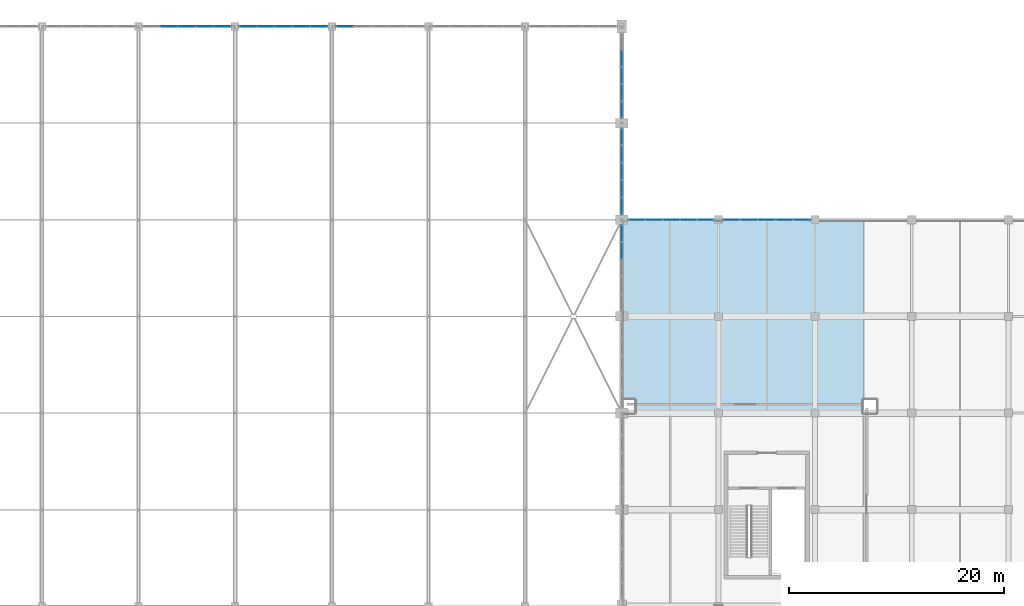
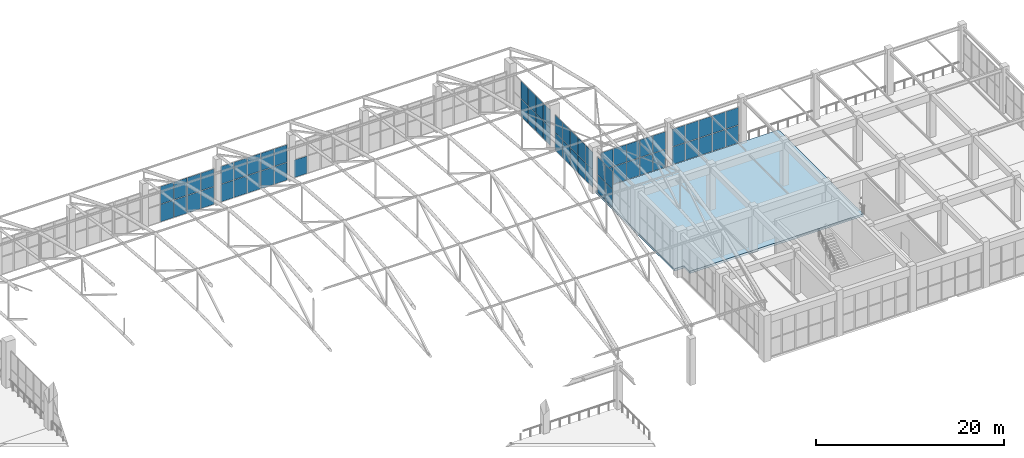
# One storey, part 180 of 223: 61 plates, 1 slab, 8 elements without a shape of their own.
"""IFC4 building model written with IfcOpenShell, lengths in metres."""

from ifc_helpers import new_model, si_unit, direction, frame, origin, origin_2d, place, context, subcontext, project, spatial, polyline, rectangle, outline, extrude, material, layer, layer_set, type_object, element, aggregate, save


model = new_model("IFC4")

# Units and contexts
model_context = context("Model", 3, precision=1e-05, world=origin(), true_north=direction((0.0, 1.0)))
body_context = subcontext(model_context, "Body", "Model", "MODEL_VIEW")
ifc_project = project(units=[si_unit("LENGTHUNIT", "METRE"), si_unit("AREAUNIT", "SQUARE_METRE"), si_unit("VOLUMEUNIT", "CUBIC_METRE"), si_unit("PLANEANGLEUNIT", "RADIAN"), si_unit("MASSUNIT", "GRAM", prefix="KILO")], contexts=[model_context])

# Site, building, storey
site_placement = place(None, origin())
site = spatial("IfcSite", under=ifc_project, at=site_placement, CompositionType="ELEMENT")
building_placement = place(site_placement, origin())
building = spatial("IfcBuilding", under=site, at=building_placement, Name="Dornveld Trade and Exhibition Forum", CompositionType="ELEMENT")
storey_placement = place(building_placement, frame((0.0, 0.0, 6.0)))
storey = spatial("IfcBuildingStorey", under=building, at=storey_placement, Name="L01", CompositionType="ELEMENT", Elevation=6.0)

# Curtain wall, plates
ifc_material_1 = material(Name="Dark-bronze anodised aluminium and low-E glass", Category="aluminium")
ifc_layer_1 = layer(ifc_material_1, 0.193115234375)
ifc_layer_set_1 = layer_set([ifc_layer_1], Name="Dark-bronze anodised aluminium and low-E glass")
curtain_wall_type_1 = type_object("IfcCurtainWallType", Name="CW-SYS-17", PredefinedType="USERDEFINED", material=ifc_layer_set_1)
curtain_wall_1_placement = place(storey_placement, origin())
curtain_wall_1 = element("IfcCurtainWall", 1, at=curtain_wall_1_placement, inside=storey, type_object=curtain_wall_type_1, Name="L01 unitised curtain wall 17", ObjectType="UNITISED_CURTAIN_WALL", PredefinedType="USERDEFINED")
ifc_material_2 = material(Name="Double-glazed low-E solar control glass", Category="glass")
ifc_layer_2 = layer(ifc_material_2, 0.02587890625)
ifc_layer_set_2 = layer_set([ifc_layer_2], Name="Double-glazed low-E solar control glass")
plate_type_1 = type_object("IfcPlateType", Name="CW-PNL-01", PredefinedType="CURTAIN_PANEL", material=ifc_layer_set_2)
plate_1_placement = place(storey_placement, frame((171.0, 154.2568359375, 0.05615234375), z_axis=(0.0, 0.0, 1.0), x_axis=(0.0, 1.0, 0.0)))
plate_1 = element("IfcPlate", 2, at=plate_1_placement, type_object=plate_type_1, Name="CW-17 panel 1.1", PredefinedType="CURTAIN_PANEL", context=body_context, shape_type="SweptSolid", body=[
    extrude(rectangle(XDim=1.501708984375, YDim=0.02587890625, at=origin_2d()), origin(), (0.0, 0.0, 1.0), 2.261962890625),
])
plate_2_placement = place(storey_placement, frame((171.0, 154.2568359375, 2.3779296875), z_axis=(0.0, 0.0, 1.0), x_axis=(0.0, 1.0, 0.0)))
plate_2 = element("IfcPlate", 3, at=plate_2_placement, type_object=plate_type_1, Name="CW-17 panel 1.2", PredefinedType="CURTAIN_PANEL", context=body_context, shape_type="SweptSolid", body=[
    extrude(rectangle(XDim=1.501708984375, YDim=0.02587890625, at=origin_2d()), origin(), (0.0, 0.0, 1.0), 2.261962890625),
])
plate_3_placement = place(storey_placement, frame((171.0, 155.83349609375, 0.05615234375), z_axis=(0.0, 0.0, 1.0), x_axis=(0.0, 1.0, 0.0)))
plate_3 = element("IfcPlate", 4, at=plate_3_placement, type_object=plate_type_1, Name="CW-17 panel 2.1", PredefinedType="CURTAIN_PANEL", context=body_context, shape_type="SweptSolid", body=[
    extrude(rectangle(XDim=1.531494140625, YDim=0.02587890625, at=origin_2d()), origin(), (0.0, 0.0, 1.0), 2.261962890625),
])
plate_4_placement = place(storey_placement, frame((171.0, 155.83349609375, 2.3779296875), z_axis=(0.0, 0.0, 1.0), x_axis=(0.0, 1.0, 0.0)))
plate_4 = element("IfcPlate", 5, at=plate_4_placement, type_object=plate_type_1, Name="CW-17 panel 2.2", PredefinedType="CURTAIN_PANEL", context=body_context, shape_type="SweptSolid", body=[
    extrude(rectangle(XDim=1.531494140625, YDim=0.02587890625, at=origin_2d()), origin(), (0.0, 0.0, 1.0), 2.261962890625),
])
plate_5_placement = place(storey_placement, frame((171.0, 157.425048828125, 0.05615234375), z_axis=(0.0, 0.0, 1.0), x_axis=(0.0, 1.0, 0.0)))
plate_5 = element("IfcPlate", 6, at=plate_5_placement, type_object=plate_type_1, Name="CW-17 panel 3.1", PredefinedType="CURTAIN_PANEL", context=body_context, shape_type="SweptSolid", body=[
    extrude(rectangle(XDim=1.531494140625, YDim=0.02587890625, at=origin_2d()), origin(), (0.0, 0.0, 1.0), 2.261962890625),
])
plate_6_placement = place(storey_placement, frame((171.0, 157.425048828125, 2.3779296875), z_axis=(0.0, 0.0, 1.0), x_axis=(0.0, 1.0, 0.0)))
plate_6 = element("IfcPlate", 7, at=plate_6_placement, type_object=plate_type_1, Name="CW-17 panel 3.2", PredefinedType="CURTAIN_PANEL", context=body_context, shape_type="SweptSolid", body=[
    extrude(rectangle(XDim=1.531494140625, YDim=0.02587890625, at=origin_2d()), origin(), (0.0, 0.0, 1.0), 2.261962890625),
])
plate_7_placement = place(storey_placement, frame((171.0, 159.0166015625, 0.05615234375), z_axis=(0.0, 0.0, 1.0), x_axis=(0.0, 1.0, 0.0)))
plate_7 = element("IfcPlate", 8, at=plate_7_placement, type_object=plate_type_1, Name="CW-17 panel 4.1", PredefinedType="CURTAIN_PANEL", context=body_context, shape_type="SweptSolid", body=[
    extrude(rectangle(XDim=1.531494140625, YDim=0.02587890625, at=origin_2d()), origin(), (0.0, 0.0, 1.0), 2.261962890625),
])
plate_8_placement = place(storey_placement, frame((171.0, 159.0166015625, 2.3779296875), z_axis=(0.0, 0.0, 1.0), x_axis=(0.0, 1.0, 0.0)))
plate_8 = element("IfcPlate", 9, at=plate_8_placement, type_object=plate_type_1, Name="CW-17 panel 4.2", PredefinedType="CURTAIN_PANEL", context=body_context, shape_type="SweptSolid", body=[
    extrude(rectangle(XDim=1.531494140625, YDim=0.02587890625, at=origin_2d()), origin(), (0.0, 0.0, 1.0), 2.261962890625),
])
aggregate(curtain_wall_1, [plate_1, plate_2, plate_3, plate_4, plate_5, plate_6, plate_7, plate_8])

ifc_material_3 = material(Name="Dark-bronze anodised aluminium and low-E glass", Category="aluminium")
ifc_layer_3 = layer(ifc_material_3, 0.1689453125)
ifc_layer_set_3 = layer_set([ifc_layer_3], Name="Dark-bronze anodised aluminium and low-E glass")
curtain_wall_type_2 = type_object("IfcCurtainWallType", Name="CW-SYS-09", PredefinedType="USERDEFINED", material=ifc_layer_set_3)
curtain_wall_2_placement = place(storey_placement, origin())
curtain_wall_2 = element("IfcCurtainWall", 10, at=curtain_wall_2_placement, inside=storey, type_object=curtain_wall_type_2, Name="L01 unitised curtain wall 153", ObjectType="UNITISED_CURTAIN_WALL", PredefinedType="USERDEFINED")
plate_9_placement = place(storey_placement, frame((187.7880859375, 144.0, 0.05615234375), z_axis=(0.0, 0.0, 1.0), x_axis=(-1.0, 0.0, 0.0)))
plate_9 = element("IfcPlate", 11, at=plate_9_placement, type_object=plate_type_1, Name="CW-09 panel 1.1", PredefinedType="CURTAIN_PANEL", context=body_context, shape_type="SweptSolid", body=[
    extrude(rectangle(XDim=1.5615234375, YDim=0.02587890625, at=origin_2d()), origin(), (0.0, 0.0, 1.0), 2.261962890625),
])
plate_10_placement = place(storey_placement, frame((187.7880859375, 144.0, 2.3779296875), z_axis=(0.0, 0.0, 1.0), x_axis=(-1.0, 0.0, 0.0)))
plate_10 = element("IfcPlate", 12, at=plate_10_placement, type_object=plate_type_1, Name="CW-09 panel 1.2", PredefinedType="CURTAIN_PANEL", context=body_context, shape_type="SweptSolid", body=[
    extrude(rectangle(XDim=1.5615234375, YDim=0.02587890625, at=origin_2d()), origin(), (0.0, 0.0, 1.0), 2.261962890625),
])
plate_11_placement = place(storey_placement, frame((186.151611328125, 144.0, 0.05615234375), z_axis=(0.0, 0.0, 1.0), x_axis=(-1.0, 0.0, 0.0)))
plate_11 = element("IfcPlate", 13, at=plate_11_placement, type_object=plate_type_1, Name="CW-09 panel 2.1", PredefinedType="CURTAIN_PANEL", context=body_context, shape_type="SweptSolid", body=[
    extrude(rectangle(XDim=1.591552734375, YDim=0.02587890625, at=origin_2d()), origin(), (0.0, 0.0, 1.0), 2.261962890625),
])
plate_12_placement = place(storey_placement, frame((186.151611328125, 144.0, 2.3779296875), z_axis=(0.0, 0.0, 1.0), x_axis=(-1.0, 0.0, 0.0)))
plate_12 = element("IfcPlate", 14, at=plate_12_placement, type_object=plate_type_1, Name="CW-09 panel 2.2", PredefinedType="CURTAIN_PANEL", context=body_context, shape_type="SweptSolid", body=[
    extrude(rectangle(XDim=1.591552734375, YDim=0.02587890625, at=origin_2d()), origin(), (0.0, 0.0, 1.0), 2.261962890625),
])
plate_13_placement = place(storey_placement, frame((184.5, 144.0, 0.05615234375), z_axis=(0.0, 0.0, 1.0), x_axis=(-1.0, 0.0, 0.0)))
plate_13 = element("IfcPlate", 15, at=plate_13_placement, type_object=plate_type_1, Name="CW-09 panel 3.1", PredefinedType="CURTAIN_PANEL", context=body_context, shape_type="SweptSolid", body=[
    extrude(rectangle(XDim=1.591552734375, YDim=0.02587890625, at=origin_2d()), origin(), (0.0, 0.0, 1.0), 2.261962890625),
])
plate_14_placement = place(storey_placement, frame((184.5, 144.0, 2.3779296875), z_axis=(0.0, 0.0, 1.0), x_axis=(-1.0, 0.0, 0.0)))
plate_14 = element("IfcPlate", 16, at=plate_14_placement, type_object=plate_type_1, Name="CW-09 panel 3.2", PredefinedType="CURTAIN_PANEL", context=body_context, shape_type="SweptSolid", body=[
    extrude(rectangle(XDim=1.591552734375, YDim=0.02587890625, at=origin_2d()), origin(), (0.0, 0.0, 1.0), 2.261962890625),
])
plate_15_placement = place(storey_placement, frame((182.848388671875, 144.0, 0.05615234375), z_axis=(0.0, 0.0, 1.0), x_axis=(-1.0, 0.0, 0.0)))
plate_15 = element("IfcPlate", 17, at=plate_15_placement, type_object=plate_type_1, Name="CW-09 panel 4.1", PredefinedType="CURTAIN_PANEL", context=body_context, shape_type="SweptSolid", body=[
    extrude(rectangle(XDim=1.591552734375, YDim=0.02587890625, at=origin_2d()), origin(), (0.0, 0.0, 1.0), 2.261962890625),
])
plate_16_placement = place(storey_placement, frame((182.848388671875, 144.0, 2.3779296875), z_axis=(0.0, 0.0, 1.0), x_axis=(-1.0, 0.0, 0.0)))
plate_16 = element("IfcPlate", 18, at=plate_16_placement, type_object=plate_type_1, Name="CW-09 panel 4.2", PredefinedType="CURTAIN_PANEL", context=body_context, shape_type="SweptSolid", body=[
    extrude(rectangle(XDim=1.591552734375, YDim=0.02587890625, at=origin_2d()), origin(), (0.0, 0.0, 1.0), 2.261962890625),
])
plate_17_placement = place(storey_placement, frame((181.2119140625, 144.0, 0.05615234375), z_axis=(0.0, 0.0, 1.0), x_axis=(-1.0, 0.0, 0.0)))
plate_17 = element("IfcPlate", 19, at=plate_17_placement, type_object=plate_type_1, Name="CW-09 panel 5.1", PredefinedType="CURTAIN_PANEL", context=body_context, shape_type="SweptSolid", body=[
    extrude(rectangle(XDim=1.5615234375, YDim=0.02587890625, at=origin_2d()), origin(), (0.0, 0.0, 1.0), 2.261962890625),
])
plate_18_placement = place(storey_placement, frame((181.2119140625, 144.0, 2.3779296875), z_axis=(0.0, 0.0, 1.0), x_axis=(-1.0, 0.0, 0.0)))
plate_18 = element("IfcPlate", 20, at=plate_18_placement, type_object=plate_type_1, Name="CW-09 panel 5.2", PredefinedType="CURTAIN_PANEL", context=body_context, shape_type="SweptSolid", body=[
    extrude(rectangle(XDim=1.5615234375, YDim=0.02587890625, at=origin_2d()), origin(), (0.0, 0.0, 1.0), 2.261962890625),
])
aggregate(curtain_wall_2, [plate_9, plate_10, plate_11, plate_12, plate_13, plate_14, plate_15, plate_16, plate_17, plate_18])

ifc_material_4 = material(Name="Dark-bronze anodised aluminium and low-E glass", Category="aluminium")
ifc_layer_4 = layer(ifc_material_4, 0.180908203125)
ifc_layer_set_4 = layer_set([ifc_layer_4], Name="Dark-bronze anodised aluminium and low-E glass")
curtain_wall_type_3 = type_object("IfcCurtainWallType", Name="CW-SYS-13", PredefinedType="USERDEFINED", material=ifc_layer_set_4)
curtain_wall_3_placement = place(storey_placement, origin())
curtain_wall_3 = element("IfcCurtainWall", 21, at=curtain_wall_3_placement, inside=storey, type_object=curtain_wall_type_3, Name="L01 unitised curtain wall 13", ObjectType="UNITISED_CURTAIN_WALL", PredefinedType="USERDEFINED")
ifc_material_5 = material(Name="Double-glazed low-E solar control glass", Category="glass")
ifc_layer_5 = layer(ifc_material_5, 0.033935546875)
ifc_layer_set_5 = layer_set([ifc_layer_5], Name="Double-glazed low-E solar control glass")
plate_type_2 = type_object("IfcPlateType", Name="CW-PNL-05", PredefinedType="CURTAIN_PANEL", material=ifc_layer_set_5)
plate_19_placement = place(storey_placement, frame((171.0, 141.12158203125, 0.05615234375), z_axis=(0.0, 0.0, 1.0), x_axis=(0.0, 1.0, 0.0)))
plate_19 = element("IfcPlate", 22, at=plate_19_placement, type_object=plate_type_2, Name="CW-13 panel 4.1", PredefinedType="CURTAIN_PANEL", context=body_context, shape_type="SweptSolid", body=[
    extrude(rectangle(XDim=1.5615234375, YDim=0.033935546875, at=origin_2d()), origin(), (0.0, 0.0, 1.0), 2.261962890625),
])
plate_20_placement = place(storey_placement, frame((171.0, 141.12158203125, 2.3779296875), z_axis=(0.0, 0.0, 1.0), x_axis=(0.0, 1.0, 0.0)))
plate_20 = element("IfcPlate", 23, at=plate_20_placement, type_object=plate_type_2, Name="CW-13 panel 4.2", PredefinedType="CURTAIN_PANEL", context=body_context, shape_type="SweptSolid", body=[
    extrude(rectangle(XDim=1.5615234375, YDim=0.033935546875, at=origin_2d()), origin(), (0.0, 0.0, 1.0), 2.261962890625),
])
plate_21_placement = place(storey_placement, frame((171.0, 142.728271484375, 0.05615234375), z_axis=(0.0, 0.0, 1.0), x_axis=(0.0, 1.0, 0.0)))
plate_21 = element("IfcPlate", 24, at=plate_21_placement, type_object=plate_type_2, Name="CW-13 panel 5.1", PredefinedType="CURTAIN_PANEL", context=body_context, shape_type="SweptSolid", body=[
    extrude(rectangle(XDim=1.531494140625, YDim=0.033935546875, at=origin_2d()), origin(), (0.0, 0.0, 1.0), 2.261962890625),
])
plate_22_placement = place(storey_placement, frame((171.0, 142.728271484375, 2.3779296875), z_axis=(0.0, 0.0, 1.0), x_axis=(0.0, 1.0, 0.0)))
plate_22 = element("IfcPlate", 25, at=plate_22_placement, type_object=plate_type_2, Name="CW-13 panel 5.2", PredefinedType="CURTAIN_PANEL", context=body_context, shape_type="SweptSolid", body=[
    extrude(rectangle(XDim=1.531494140625, YDim=0.033935546875, at=origin_2d()), origin(), (0.0, 0.0, 1.0), 2.261962890625),
])
aggregate(curtain_wall_3, [plate_19, plate_20, plate_21, plate_22])

ifc_material_6 = material(Name="Dark-bronze anodised aluminium and low-E glass", Category="aluminium")
ifc_layer_6 = layer(ifc_material_6, 0.18701171875)
ifc_layer_set_6 = layer_set([ifc_layer_6], Name="Dark-bronze anodised aluminium and low-E glass")
curtain_wall_type_4 = type_object("IfcCurtainWallType", Name="CW-SYS-15", PredefinedType="USERDEFINED", material=ifc_layer_set_6)
curtain_wall_4_placement = place(storey_placement, origin())
curtain_wall_4 = element("IfcCurtainWall", 26, at=curtain_wall_4_placement, inside=storey, type_object=curtain_wall_type_4, Name="L01 unitised curtain wall 141", ObjectType="UNITISED_CURTAIN_WALL", PredefinedType="USERDEFINED")
plate_23_placement = place(storey_placement, frame((133.7880859375, 162.0, 0.05615234375), z_axis=(0.0, 0.0, 1.0), x_axis=(-1.0, 0.0, 0.0)))
plate_23 = element("IfcPlate", 27, at=plate_23_placement, type_object=plate_type_2, Name="CW-15 panel 1.1", PredefinedType="CURTAIN_PANEL", context=body_context, shape_type="SweptSolid", body=[
    extrude(rectangle(XDim=1.5615234375, YDim=0.033935546875, at=origin_2d()), origin(), (0.0, 0.0, 1.0), 2.261962890625),
])
plate_24_placement = place(storey_placement, frame((133.7880859375, 162.0, 2.3779296875), z_axis=(0.0, 0.0, 1.0), x_axis=(-1.0, 0.0, 0.0)))
plate_24 = element("IfcPlate", 28, at=plate_24_placement, type_object=plate_type_2, Name="CW-15 panel 1.2", PredefinedType="CURTAIN_PANEL", context=body_context, shape_type="SweptSolid", body=[
    extrude(rectangle(XDim=1.5615234375, YDim=0.033935546875, at=origin_2d()), origin(), (0.0, 0.0, 1.0), 2.261962890625),
])
plate_25_placement = place(storey_placement, frame((132.151611328125, 162.0, 0.05615234375), z_axis=(0.0, 0.0, 1.0), x_axis=(-1.0, 0.0, 0.0)))
plate_25 = element("IfcPlate", 29, at=plate_25_placement, type_object=plate_type_2, Name="CW-15 panel 2.1", PredefinedType="CURTAIN_PANEL", context=body_context, shape_type="SweptSolid", body=[
    extrude(rectangle(XDim=1.591552734375, YDim=0.033935546875, at=origin_2d()), origin(), (0.0, 0.0, 1.0), 2.261962890625),
])
plate_26_placement = place(storey_placement, frame((132.151611328125, 162.0, 2.3779296875), z_axis=(0.0, 0.0, 1.0), x_axis=(-1.0, 0.0, 0.0)))
plate_26 = element("IfcPlate", 30, at=plate_26_placement, type_object=plate_type_2, Name="CW-15 panel 2.2", PredefinedType="CURTAIN_PANEL", context=body_context, shape_type="SweptSolid", body=[
    extrude(rectangle(XDim=1.591552734375, YDim=0.033935546875, at=origin_2d()), origin(), (0.0, 0.0, 1.0), 2.261962890625),
])
plate_27_placement = place(storey_placement, frame((130.5, 162.0, 0.05615234375), z_axis=(0.0, 0.0, 1.0), x_axis=(-1.0, 0.0, 0.0)))
plate_27 = element("IfcPlate", 31, at=plate_27_placement, type_object=plate_type_2, Name="CW-15 panel 3.1", PredefinedType="CURTAIN_PANEL", context=body_context, shape_type="SweptSolid", body=[
    extrude(rectangle(XDim=1.591552734375, YDim=0.033935546875, at=origin_2d()), origin(), (0.0, 0.0, 1.0), 2.261962890625),
])
plate_28_placement = place(storey_placement, frame((130.5, 162.0, 2.3779296875), z_axis=(0.0, 0.0, 1.0), x_axis=(-1.0, 0.0, 0.0)))
plate_28 = element("IfcPlate", 32, at=plate_28_placement, type_object=plate_type_2, Name="CW-15 panel 3.2", PredefinedType="CURTAIN_PANEL", context=body_context, shape_type="SweptSolid", body=[
    extrude(rectangle(XDim=1.591552734375, YDim=0.033935546875, at=origin_2d()), origin(), (0.0, 0.0, 1.0), 2.261962890625),
])
plate_29_placement = place(storey_placement, frame((128.848388671875, 162.0, 0.05615234375), z_axis=(0.0, 0.0, 1.0), x_axis=(-1.0, 0.0, 0.0)))
plate_29 = element("IfcPlate", 33, at=plate_29_placement, type_object=plate_type_2, Name="CW-15 panel 4.1", PredefinedType="CURTAIN_PANEL", context=body_context, shape_type="SweptSolid", body=[
    extrude(rectangle(XDim=1.591552734375, YDim=0.033935546875, at=origin_2d()), origin(), (0.0, 0.0, 1.0), 2.261962890625),
])
plate_30_placement = place(storey_placement, frame((128.848388671875, 162.0, 2.3779296875), z_axis=(0.0, 0.0, 1.0), x_axis=(-1.0, 0.0, 0.0)))
plate_30 = element("IfcPlate", 34, at=plate_30_placement, type_object=plate_type_2, Name="CW-15 panel 4.2", PredefinedType="CURTAIN_PANEL", context=body_context, shape_type="SweptSolid", body=[
    extrude(rectangle(XDim=1.591552734375, YDim=0.033935546875, at=origin_2d()), origin(), (0.0, 0.0, 1.0), 2.261962890625),
])
aggregate(curtain_wall_4, [plate_23, plate_24, plate_25, plate_26, plate_27, plate_28, plate_29, plate_30])

ifc_material_7 = material(Name="Dark-bronze anodised aluminium and low-E glass", Category="aluminium")
ifc_layer_7 = layer(ifc_material_7, 0.18994140625)
ifc_layer_set_7 = layer_set([ifc_layer_7], Name="Dark-bronze anodised aluminium and low-E glass")
curtain_wall_type_5 = type_object("IfcCurtainWallType", Name="CW-SYS-16", PredefinedType="USERDEFINED", material=ifc_layer_set_7)
curtain_wall_5_placement = place(storey_placement, origin())
curtain_wall_5 = element("IfcCurtainWall", 35, at=curtain_wall_5_placement, inside=storey, type_object=curtain_wall_type_5, Name="L01 unitised curtain wall 142", ObjectType="UNITISED_CURTAIN_WALL", PredefinedType="USERDEFINED")
ifc_material_8 = material(Name="Double-glazed low-E solar control glass", Category="glass")
ifc_layer_8 = layer(ifc_material_8, 0.035888671875)
ifc_layer_set_8 = layer_set([ifc_layer_8], Name="Double-glazed low-E solar control glass")
plate_type_3 = type_object("IfcPlateType", Name="CW-PNL-06", PredefinedType="CURTAIN_PANEL", material=ifc_layer_set_8)
plate_31_placement = place(storey_placement, frame((142.7880859375, 162.0, 0.05615234375), z_axis=(0.0, 0.0, 1.0), x_axis=(-1.0, 0.0, 0.0)))
plate_31 = element("IfcPlate", 36, at=plate_31_placement, type_object=plate_type_3, Name="CW-16 panel 1.1", PredefinedType="CURTAIN_PANEL", context=body_context, shape_type="SweptSolid", body=[
    extrude(rectangle(XDim=1.5615234375, YDim=0.035888671875, at=origin_2d()), origin(), (0.0, 0.0, 1.0), 2.261962890625),
])
plate_32_placement = place(storey_placement, frame((142.7880859375, 162.0, 2.3779296875), z_axis=(0.0, 0.0, 1.0), x_axis=(-1.0, 0.0, 0.0)))
plate_32 = element("IfcPlate", 37, at=plate_32_placement, type_object=plate_type_3, Name="CW-16 panel 1.2", PredefinedType="CURTAIN_PANEL", context=body_context, shape_type="SweptSolid", body=[
    extrude(rectangle(XDim=1.5615234375, YDim=0.035888671875, at=origin_2d()), origin(), (0.0, 0.0, 1.0), 2.261962890625),
])
plate_33_placement = place(storey_placement, frame((141.151611328125, 162.0, 0.05615234375), z_axis=(0.0, 0.0, 1.0), x_axis=(-1.0, 0.0, 0.0)))
plate_33 = element("IfcPlate", 38, at=plate_33_placement, type_object=plate_type_3, Name="CW-16 panel 2.1", PredefinedType="CURTAIN_PANEL", context=body_context, shape_type="SweptSolid", body=[
    extrude(rectangle(XDim=1.591552734375, YDim=0.035888671875, at=origin_2d()), origin(), (0.0, 0.0, 1.0), 2.261962890625),
])
plate_34_placement = place(storey_placement, frame((141.151611328125, 162.0, 2.3779296875), z_axis=(0.0, 0.0, 1.0), x_axis=(-1.0, 0.0, 0.0)))
plate_34 = element("IfcPlate", 39, at=plate_34_placement, type_object=plate_type_3, Name="CW-16 panel 2.2", PredefinedType="CURTAIN_PANEL", context=body_context, shape_type="SweptSolid", body=[
    extrude(rectangle(XDim=1.591552734375, YDim=0.035888671875, at=origin_2d()), origin(), (0.0, 0.0, 1.0), 2.261962890625),
])
plate_35_placement = place(storey_placement, frame((139.5, 162.0, 0.05615234375), z_axis=(0.0, 0.0, 1.0), x_axis=(-1.0, 0.0, 0.0)))
plate_35 = element("IfcPlate", 40, at=plate_35_placement, type_object=plate_type_3, Name="CW-16 panel 3.1", PredefinedType="CURTAIN_PANEL", context=body_context, shape_type="SweptSolid", body=[
    extrude(rectangle(XDim=1.591552734375, YDim=0.035888671875, at=origin_2d()), origin(), (0.0, 0.0, 1.0), 2.261962890625),
])
plate_36_placement = place(storey_placement, frame((139.5, 162.0, 2.3779296875), z_axis=(0.0, 0.0, 1.0), x_axis=(-1.0, 0.0, 0.0)))
plate_36 = element("IfcPlate", 41, at=plate_36_placement, type_object=plate_type_3, Name="CW-16 panel 3.2", PredefinedType="CURTAIN_PANEL", context=body_context, shape_type="SweptSolid", body=[
    extrude(rectangle(XDim=1.591552734375, YDim=0.035888671875, at=origin_2d()), origin(), (0.0, 0.0, 1.0), 2.261962890625),
])
plate_37_placement = place(storey_placement, frame((137.848388671875, 162.0, 0.05615234375), z_axis=(0.0, 0.0, 1.0), x_axis=(-1.0, 0.0, 0.0)))
plate_37 = element("IfcPlate", 42, at=plate_37_placement, type_object=plate_type_3, Name="CW-16 panel 4.1", PredefinedType="CURTAIN_PANEL", context=body_context, shape_type="SweptSolid", body=[
    extrude(rectangle(XDim=1.591552734375, YDim=0.035888671875, at=origin_2d()), origin(), (0.0, 0.0, 1.0), 2.261962890625),
])
plate_38_placement = place(storey_placement, frame((137.848388671875, 162.0, 2.3779296875), z_axis=(0.0, 0.0, 1.0), x_axis=(-1.0, 0.0, 0.0)))
plate_38 = element("IfcPlate", 43, at=plate_38_placement, type_object=plate_type_3, Name="CW-16 panel 4.2", PredefinedType="CURTAIN_PANEL", context=body_context, shape_type="SweptSolid", body=[
    extrude(rectangle(XDim=1.591552734375, YDim=0.035888671875, at=origin_2d()), origin(), (0.0, 0.0, 1.0), 2.261962890625),
])
plate_39_placement = place(storey_placement, frame((136.2119140625, 162.0, 0.05615234375), z_axis=(0.0, 0.0, 1.0), x_axis=(-1.0, 0.0, 0.0)))
plate_39 = element("IfcPlate", 44, at=plate_39_placement, type_object=plate_type_3, Name="CW-16 panel 5.1", PredefinedType="CURTAIN_PANEL", context=body_context, shape_type="SweptSolid", body=[
    extrude(rectangle(XDim=1.5615234375, YDim=0.035888671875, at=origin_2d()), origin(), (0.0, 0.0, 1.0), 2.261962890625),
])
plate_40_placement = place(storey_placement, frame((136.2119140625, 162.0, 2.3779296875), z_axis=(0.0, 0.0, 1.0), x_axis=(-1.0, 0.0, 0.0)))
plate_40 = element("IfcPlate", 45, at=plate_40_placement, type_object=plate_type_3, Name="CW-16 panel 5.2", PredefinedType="CURTAIN_PANEL", context=body_context, shape_type="SweptSolid", body=[
    extrude(rectangle(XDim=1.5615234375, YDim=0.035888671875, at=origin_2d()), origin(), (0.0, 0.0, 1.0), 2.261962890625),
])
aggregate(curtain_wall_5, [plate_31, plate_32, plate_33, plate_34, plate_35, plate_36, plate_37, plate_38, plate_39, plate_40])

curtain_wall_6_placement = place(storey_placement, origin())
curtain_wall_6 = element("IfcCurtainWall", 46, at=curtain_wall_6_placement, inside=storey, type_object=curtain_wall_type_4, Name="L01 unitised curtain wall 15", ObjectType="UNITISED_CURTAIN_WALL", PredefinedType="USERDEFINED")
ifc_material_9 = material(Name="Double-glazed low-E solar control glass", Category="glass")
ifc_layer_9 = layer(ifc_material_9, 0.0380859375)
ifc_layer_set_9 = layer_set([ifc_layer_9], Name="Double-glazed low-E solar control glass")
plate_type_4 = type_object("IfcPlateType", Name="CW-PNL-07", PredefinedType="CURTAIN_PANEL", material=ifc_layer_set_9)
plate_41_placement = place(storey_placement, frame((171.0, 145.271728515625, 0.05615234375), z_axis=(0.0, 0.0, 1.0), x_axis=(0.0, 1.0, 0.0)))
plate_41 = element("IfcPlate", 47, at=plate_41_placement, type_object=plate_type_4, Name="CW-15 panel 1.1", PredefinedType="CURTAIN_PANEL", context=body_context, shape_type="SweptSolid", body=[
    extrude(rectangle(XDim=1.531494140625, YDim=0.0380859375, at=origin_2d()), origin(), (0.0, 0.0, 1.0), 2.261962890625),
])
plate_42_placement = place(storey_placement, frame((171.0, 145.271728515625, 2.3779296875), z_axis=(0.0, 0.0, 1.0), x_axis=(0.0, 1.0, 0.0)))
plate_42 = element("IfcPlate", 48, at=plate_42_placement, type_object=plate_type_4, Name="CW-15 panel 1.2", PredefinedType="CURTAIN_PANEL", context=body_context, shape_type="SweptSolid", body=[
    extrude(rectangle(XDim=1.531494140625, YDim=0.0380859375, at=origin_2d()), origin(), (0.0, 0.0, 1.0), 2.261962890625),
])
plate_43_placement = place(storey_placement, frame((171.0, 146.87841796875, 0.05615234375), z_axis=(0.0, 0.0, 1.0), x_axis=(0.0, 1.0, 0.0)))
plate_43 = element("IfcPlate", 49, at=plate_43_placement, type_object=plate_type_4, Name="CW-15 panel 2.1", PredefinedType="CURTAIN_PANEL", context=body_context, shape_type="SweptSolid", body=[
    extrude(rectangle(XDim=1.5615234375, YDim=0.0380859375, at=origin_2d()), origin(), (0.0, 0.0, 1.0), 2.261962890625),
])
plate_44_placement = place(storey_placement, frame((171.0, 146.87841796875, 2.3779296875), z_axis=(0.0, 0.0, 1.0), x_axis=(0.0, 1.0, 0.0)))
plate_44 = element("IfcPlate", 50, at=plate_44_placement, type_object=plate_type_4, Name="CW-15 panel 2.2", PredefinedType="CURTAIN_PANEL", context=body_context, shape_type="SweptSolid", body=[
    extrude(rectangle(XDim=1.5615234375, YDim=0.0380859375, at=origin_2d()), origin(), (0.0, 0.0, 1.0), 2.261962890625),
])
plate_45_placement = place(storey_placement, frame((171.0, 148.5, 0.05615234375), z_axis=(0.0, 0.0, 1.0), x_axis=(0.0, 1.0, 0.0)))
plate_45 = element("IfcPlate", 51, at=plate_45_placement, type_object=plate_type_4, Name="CW-15 panel 3.1", PredefinedType="CURTAIN_PANEL", context=body_context, shape_type="SweptSolid", body=[
    extrude(rectangle(XDim=1.5615234375, YDim=0.0380859375, at=origin_2d()), origin(), (0.0, 0.0, 1.0), 2.261962890625),
])
plate_46_placement = place(storey_placement, frame((171.0, 148.5, 2.3779296875), z_axis=(0.0, 0.0, 1.0), x_axis=(0.0, 1.0, 0.0)))
plate_46 = element("IfcPlate", 52, at=plate_46_placement, type_object=plate_type_4, Name="CW-15 panel 3.2", PredefinedType="CURTAIN_PANEL", context=body_context, shape_type="SweptSolid", body=[
    extrude(rectangle(XDim=1.5615234375, YDim=0.0380859375, at=origin_2d()), origin(), (0.0, 0.0, 1.0), 2.261962890625),
])
plate_47_placement = place(storey_placement, frame((171.0, 150.12158203125, 0.05615234375), z_axis=(0.0, 0.0, 1.0), x_axis=(0.0, 1.0, 0.0)))
plate_47 = element("IfcPlate", 53, at=plate_47_placement, type_object=plate_type_4, Name="CW-15 panel 4.1", PredefinedType="CURTAIN_PANEL", context=body_context, shape_type="SweptSolid", body=[
    extrude(rectangle(XDim=1.5615234375, YDim=0.0380859375, at=origin_2d()), origin(), (0.0, 0.0, 1.0), 2.261962890625),
])
plate_48_placement = place(storey_placement, frame((171.0, 150.12158203125, 2.3779296875), z_axis=(0.0, 0.0, 1.0), x_axis=(0.0, 1.0, 0.0)))
plate_48 = element("IfcPlate", 54, at=plate_48_placement, type_object=plate_type_4, Name="CW-15 panel 4.2", PredefinedType="CURTAIN_PANEL", context=body_context, shape_type="SweptSolid", body=[
    extrude(rectangle(XDim=1.5615234375, YDim=0.0380859375, at=origin_2d()), origin(), (0.0, 0.0, 1.0), 2.261962890625),
])
plate_49_placement = place(storey_placement, frame((171.0, 151.728271484375, 0.05615234375), z_axis=(0.0, 0.0, 1.0), x_axis=(0.0, 1.0, 0.0)))
plate_49 = element("IfcPlate", 55, at=plate_49_placement, type_object=plate_type_4, Name="CW-15 panel 5.1", PredefinedType="CURTAIN_PANEL", context=body_context, shape_type="SweptSolid", body=[
    extrude(rectangle(XDim=1.531494140625, YDim=0.0380859375, at=origin_2d()), origin(), (0.0, 0.0, 1.0), 2.261962890625),
])
plate_50_placement = place(storey_placement, frame((171.0, 151.728271484375, 2.3779296875), z_axis=(0.0, 0.0, 1.0), x_axis=(0.0, 1.0, 0.0)))
plate_50 = element("IfcPlate", 56, at=plate_50_placement, type_object=plate_type_4, Name="CW-15 panel 5.2", PredefinedType="CURTAIN_PANEL", context=body_context, shape_type="SweptSolid", body=[
    extrude(rectangle(XDim=1.531494140625, YDim=0.0380859375, at=origin_2d()), origin(), (0.0, 0.0, 1.0), 2.261962890625),
])
aggregate(curtain_wall_6, [plate_41, plate_42, plate_43, plate_44, plate_45, plate_46, plate_47, plate_48, plate_49, plate_50])

# Curtain wall, plate
curtain_wall_7_placement = place(storey_placement, origin())
curtain_wall_7 = element("IfcCurtainWall", 57, at=curtain_wall_7_placement, inside=storey, type_object=curtain_wall_type_1, Name="L01 unitised curtain wall 143", ObjectType="UNITISED_CURTAIN_WALL", PredefinedType="USERDEFINED")
plate_51_placement = place(storey_placement, frame((145.2119140625, 162.0, 0.05615234375), z_axis=(0.0, 0.0, 1.0), x_axis=(-1.0, 0.0, 0.0)))
plate_51 = element("IfcPlate", 58, at=plate_51_placement, type_object=plate_type_4, Name="CW-17 panel 5.1", PredefinedType="CURTAIN_PANEL", context=body_context, shape_type="SweptSolid", body=[
    extrude(rectangle(XDim=1.5615234375, YDim=0.0380859375, at=origin_2d()), origin(), (0.0, 0.0, 1.0), 2.261962890625),
])
aggregate(curtain_wall_7, [plate_51])

# Curtain wall, plates
ifc_material_10 = material(Name="Dark-bronze anodised aluminium and low-E glass", Category="aluminium")
ifc_layer_10 = layer(ifc_material_10, 0.166015625)
ifc_layer_set_10 = layer_set([ifc_layer_10], Name="Dark-bronze anodised aluminium and low-E glass")
curtain_wall_type_6 = type_object("IfcCurtainWallType", Name="CW-SYS-08", PredefinedType="USERDEFINED", material=ifc_layer_set_10)
curtain_wall_8_placement = place(storey_placement, origin())
curtain_wall_8 = element("IfcCurtainWall", 59, at=curtain_wall_8_placement, inside=storey, type_object=curtain_wall_type_6, Name="L01 unitised curtain wall 152", ObjectType="UNITISED_CURTAIN_WALL", PredefinedType="USERDEFINED")
ifc_material_11 = material(Name="Double-glazed low-E solar control glass", Category="glass")
ifc_layer_11 = layer(ifc_material_11, 0.0400390625)
ifc_layer_set_11 = layer_set([ifc_layer_11], Name="Double-glazed low-E solar control glass")
plate_type_5 = type_object("IfcPlateType", Name="CW-PNL-08", PredefinedType="CURTAIN_PANEL", material=ifc_layer_set_11)
plate_52_placement = place(storey_placement, frame((178.810791015625, 144.0, 0.05615234375), z_axis=(0.0, 0.0, 1.0), x_axis=(-1.0, 0.0, 0.0)))
plate_52 = element("IfcPlate", 60, at=plate_52_placement, type_object=plate_type_5, Name="CW-08 panel 1.1", PredefinedType="CURTAIN_PANEL", context=body_context, shape_type="SweptSolid", body=[
    extrude(rectangle(XDim=1.5166015625, YDim=0.0400390625, at=origin_2d()), origin(), (0.0, 0.0, 1.0), 2.261962890625),
])
plate_53_placement = place(storey_placement, frame((178.810791015625, 144.0, 2.3779296875), z_axis=(0.0, 0.0, 1.0), x_axis=(-1.0, 0.0, 0.0)))
plate_53 = element("IfcPlate", 61, at=plate_53_placement, type_object=plate_type_5, Name="CW-08 panel 1.2", PredefinedType="CURTAIN_PANEL", context=body_context, shape_type="SweptSolid", body=[
    extrude(rectangle(XDim=1.5166015625, YDim=0.0400390625, at=origin_2d()), origin(), (0.0, 0.0, 1.0), 2.261962890625),
])
plate_54_placement = place(storey_placement, frame((177.218994140625, 144.0, 0.05615234375), z_axis=(0.0, 0.0, 1.0), x_axis=(-1.0, 0.0, 0.0)))
plate_54 = element("IfcPlate", 62, at=plate_54_placement, type_object=plate_type_5, Name="CW-08 panel 2.1", PredefinedType="CURTAIN_PANEL", context=body_context, shape_type="SweptSolid", body=[
    extrude(rectangle(XDim=1.546630859375, YDim=0.0400390625, at=origin_2d()), origin(), (0.0, 0.0, 1.0), 2.261962890625),
])
plate_55_placement = place(storey_placement, frame((177.218994140625, 144.0, 2.3779296875), z_axis=(0.0, 0.0, 1.0), x_axis=(-1.0, 0.0, 0.0)))
plate_55 = element("IfcPlate", 63, at=plate_55_placement, type_object=plate_type_5, Name="CW-08 panel 2.2", PredefinedType="CURTAIN_PANEL", context=body_context, shape_type="SweptSolid", body=[
    extrude(rectangle(XDim=1.546630859375, YDim=0.0400390625, at=origin_2d()), origin(), (0.0, 0.0, 1.0), 2.261962890625),
])
plate_56_placement = place(storey_placement, frame((175.612548828125, 144.0, 0.05615234375), z_axis=(0.0, 0.0, 1.0), x_axis=(-1.0, 0.0, 0.0)))
plate_56 = element("IfcPlate", 64, at=plate_56_placement, type_object=plate_type_5, Name="CW-08 panel 3.1", PredefinedType="CURTAIN_PANEL", context=body_context, shape_type="SweptSolid", body=[
    extrude(rectangle(XDim=1.546630859375, YDim=0.0400390625, at=origin_2d()), origin(), (0.0, 0.0, 1.0), 2.261962890625),
])
plate_57_placement = place(storey_placement, frame((175.612548828125, 144.0, 2.3779296875), z_axis=(0.0, 0.0, 1.0), x_axis=(-1.0, 0.0, 0.0)))
plate_57 = element("IfcPlate", 65, at=plate_57_placement, type_object=plate_type_5, Name="CW-08 panel 3.2", PredefinedType="CURTAIN_PANEL", context=body_context, shape_type="SweptSolid", body=[
    extrude(rectangle(XDim=1.546630859375, YDim=0.0400390625, at=origin_2d()), origin(), (0.0, 0.0, 1.0), 2.261962890625),
])
plate_58_placement = place(storey_placement, frame((174.005859375, 144.0, 0.05615234375), z_axis=(0.0, 0.0, 1.0), x_axis=(-1.0, 0.0, 0.0)))
plate_58 = element("IfcPlate", 66, at=plate_58_placement, type_object=plate_type_5, Name="CW-08 panel 4.1", PredefinedType="CURTAIN_PANEL", context=body_context, shape_type="SweptSolid", body=[
    extrude(rectangle(XDim=1.546630859375, YDim=0.0400390625, at=origin_2d()), origin(), (0.0, 0.0, 1.0), 2.261962890625),
])
plate_59_placement = place(storey_placement, frame((174.005859375, 144.0, 2.3779296875), z_axis=(0.0, 0.0, 1.0), x_axis=(-1.0, 0.0, 0.0)))
plate_59 = element("IfcPlate", 67, at=plate_59_placement, type_object=plate_type_5, Name="CW-08 panel 4.2", PredefinedType="CURTAIN_PANEL", context=body_context, shape_type="SweptSolid", body=[
    extrude(rectangle(XDim=1.546630859375, YDim=0.0400390625, at=origin_2d()), origin(), (0.0, 0.0, 1.0), 2.261962890625),
])
plate_60_placement = place(storey_placement, frame((172.414306640625, 144.0, 0.05615234375), z_axis=(0.0, 0.0, 1.0), x_axis=(-1.0, 0.0, 0.0)))
plate_60 = element("IfcPlate", 68, at=plate_60_placement, type_object=plate_type_5, Name="CW-08 panel 5.1", PredefinedType="CURTAIN_PANEL", context=body_context, shape_type="SweptSolid", body=[
    extrude(rectangle(XDim=1.5166015625, YDim=0.0400390625, at=origin_2d()), origin(), (0.0, 0.0, 1.0), 2.261962890625),
])
plate_61_placement = place(storey_placement, frame((172.414306640625, 144.0, 2.3779296875), z_axis=(0.0, 0.0, 1.0), x_axis=(-1.0, 0.0, 0.0)))
plate_61 = element("IfcPlate", 69, at=plate_61_placement, type_object=plate_type_5, Name="CW-08 panel 5.2", PredefinedType="CURTAIN_PANEL", context=body_context, shape_type="SweptSolid", body=[
    extrude(rectangle(XDim=1.5166015625, YDim=0.0400390625, at=origin_2d()), origin(), (0.0, 0.0, 1.0), 2.261962890625),
])
aggregate(curtain_wall_8, [plate_52, plate_53, plate_54, plate_55, plate_56, plate_57, plate_58, plate_59, plate_60, plate_61])

# Slab
ifc_material_12 = material(Name="Precast concrete C50/60", Category="concrete")
ifc_layer_12 = layer(ifc_material_12, 0.260009765625)
ifc_layer_set_12 = layer_set([ifc_layer_12], Name="Precast concrete C50/60")
slab_type = type_object("IfcSlabType", Name="SL-OFF-260", PredefinedType="FLOOR", material=ifc_layer_set_12)
slab_placement = place(storey_placement, frame((0.0, 0.0, -0.300048828125)))
element("IfcSlab", 70, at=slab_placement, inside=storey, type_object=slab_type, Name="L01 structural slab panel 50", PredefinedType="FLOOR", context=body_context, shape_type="SweptSolid", body=[
    extrude(outline(polyline([(172.199951171875, 126.0), (193.5, 126.0), (193.5, 144.0), (171.0, 144.0), (171.0, 127.199951171875), (172.199951171875, 127.199951171875), (172.199951171875, 126.0)])), origin(), (0.0, 0.0, 1.0), 0.300048828125),
])

save(model, "model.ifc")
